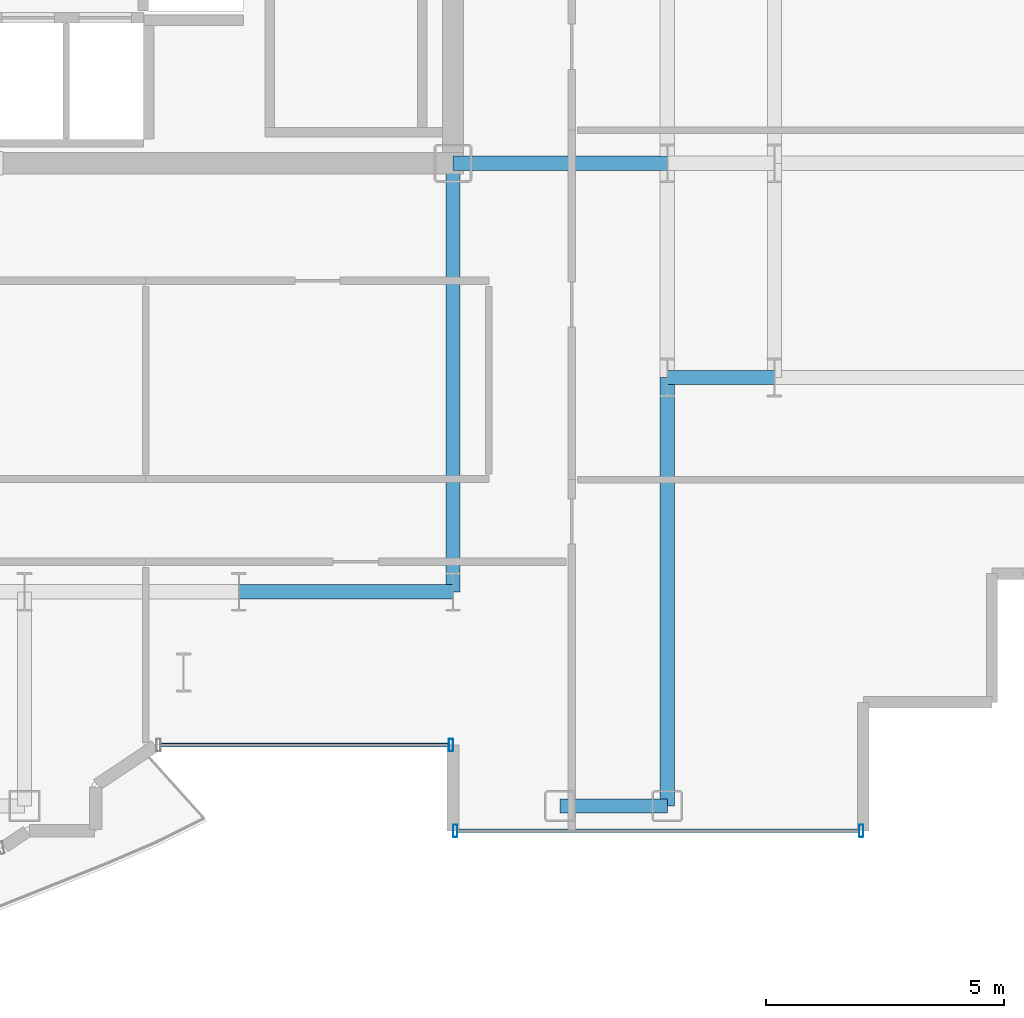
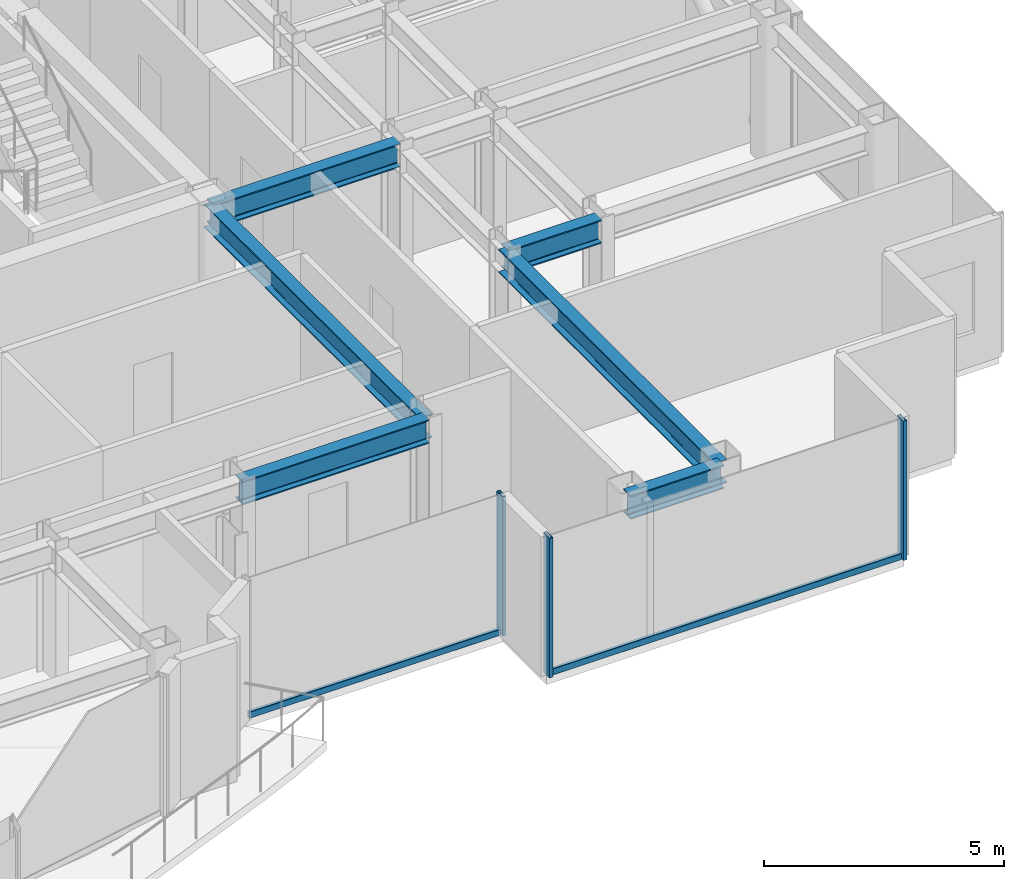
# One storey, part 6 of 22: 6 beams, 5 members, 2 elements without a shape of their own.
"""IFC4 building model written with IfcOpenShell, lengths in metres."""

import ifcopenshell
import ifcopenshell.guid

model = None  # the IFC model being written
_history = None  # IfcOwnerHistory: only IFC2X3 demands one
_inside = {}  # id of a spatial element -> (the spatial element, [elements in it])
_under = {}  # id of a project, library or spatial element -> (it, [spatial elements below it])
_declared = {}  # id of a project -> (the project, [libraries it declares])
_typed = {}  # id of a type object -> (the type object, [elements of that type])
_made_of = {}  # id of a material, layer set ... -> (it, [elements and type objects made of it])


def new_model(schema):
    """Start an empty IFC model of exactly this schema.

    Asked for "IFC4X3", IfcOpenShell would pick the latest addendum, in which some entities
    have other attributes; the version numbers below select the first issue.
    IFC2X3 requires an IfcOwnerHistory on every rooted entity: one is made here for all.
    """
    global model, _history
    if schema == "IFC4X3":
        model = ifcopenshell.file(schema_version=(4, 3, 0, 0))
    else:
        model = ifcopenshell.file(schema=schema)
    _inside.clear()
    _under.clear()
    _declared.clear()
    _typed.clear()
    _made_of.clear()
    _history = None
    if model.schema == "IFC2X3":
        org = make("IfcOrganization", Name="unknown")
        user = make(
            "IfcPersonAndOrganization",
            ThePerson=make("IfcPerson", FamilyName="unknown"),
            TheOrganization=org,
        )
        app = make(
            "IfcApplication",
            ApplicationDeveloper=org,
            Version="unknown",
            ApplicationFullName="unknown",
            ApplicationIdentifier="unknown",
        )
        _history = make(
            "IfcOwnerHistory",
            OwningUser=user,
            OwningApplication=app,
            ChangeAction="ADDED",
            CreationDate=0,
        )
    return model


def make(cls, **values):
    """One entity of the class cls with the attributes given. An attribute that is None is left unset."""
    return model.create_entity(
        cls, **{name: value for name, value in values.items() if value is not None}
    )


def rooted(cls, **values):
    """An entity with a GlobalId (a new one), such as an element, a storey or a relation."""
    return make(cls, GlobalId=ifcopenshell.guid.new(), OwnerHistory=_history, **values)


def si_unit(unit_type, name, prefix=None):
    """IfcSIUnit, for example si_unit("LENGTHUNIT", "METRE", prefix="MILLI")."""
    return make("IfcSIUnit", UnitType=unit_type, Prefix=prefix, Name=name)


def assignment(units):
    """IfcUnitAssignment: the units of a project."""
    return None if units is None else make("IfcUnitAssignment", Units=units)


def point(xyz):
    """IfcCartesianPoint."""
    return None if xyz is None else make("IfcCartesianPoint", Coordinates=xyz)


def direction(xyz):
    """IfcDirection."""
    return None if xyz is None else make("IfcDirection", DirectionRatios=xyz)


def frame(location, z_axis=None, x_axis=None):
    """IfcAxis2Placement3D, a coordinate frame: its origin and axes. An axis left out is left unset."""
    return make(
        "IfcAxis2Placement3D",
        Location=point(location),
        Axis=direction(z_axis),
        RefDirection=direction(x_axis),
    )


def frame_2d(location, x_axis=None):
    """IfcAxis2Placement2D, a coordinate frame in the plane: its origin and x axis."""
    return make(
        "IfcAxis2Placement2D", Location=point(location), RefDirection=direction(x_axis)
    )


def origin():
    """The frame at (0, 0, 0) with its axes left unset."""
    return frame((0.0, 0.0, 0.0))


def origin_2d():
    """The frame at (0, 0) in the plane with its x axis left unset."""
    return frame_2d((0.0, 0.0))


def place(relative_to, where):
    """IfcLocalPlacement: puts the frame where relative to a parent placement (None: the world)."""
    return make(
        "IfcLocalPlacement", PlacementRelTo=relative_to, RelativePlacement=where
    )


def context(
    kind, dimensions, precision=None, world=None, true_north=None, identifier=None
):
    """IfcGeometricRepresentationContext, for example the 3D "Model" context."""
    return make(
        "IfcGeometricRepresentationContext",
        ContextIdentifier=identifier,
        ContextType=kind,
        CoordinateSpaceDimension=dimensions,
        Precision=precision,
        WorldCoordinateSystem=world,
        TrueNorth=true_north,
    )


def subcontext(parent, identifier, kind, view, scale=None):
    """IfcGeometricRepresentationSubContext, for example "Body" below "Model"."""
    return make(
        "IfcGeometricRepresentationSubContext",
        ContextIdentifier=identifier,
        ContextType=kind,
        ParentContext=parent,
        TargetScale=scale,
        TargetView=view,
    )


def project(units=None, contexts=None):
    """IfcProject with its units and contexts."""
    return rooted(
        "IfcProject",
        Name="project",
        RepresentationContexts=contexts,
        UnitsInContext=assignment(units),
    )


def spatial(cls, under=None, at=None, **own):
    """A site, building, storey or space (cls), placed at a placement, below another one or the project."""
    s = rooted(cls, ObjectPlacement=at, **own)
    if under is not None:
        _under.setdefault(under.id(), (under, []))[1].append(s)
    return s


def profile(cls, at=None, kind="AREA", **sizes):
    """A parametric profile (cls). Its sizes go by their IFC names, for example OverallWidth=200.0."""
    return make(cls, ProfileType=kind, Position=at, **sizes)


def hollow_rectangle(**sizes):
    """IfcRectangleHollowProfileDef."""
    return profile("IfcRectangleHollowProfileDef", **sizes)


def i_section(**sizes):
    """IfcIShapeProfileDef."""
    return profile("IfcIShapeProfileDef", **sizes)


def extrude(swept, where, along, depth):
    """IfcExtrudedAreaSolid: the profile swept, set in the frame where, extruded along a direction by depth."""
    return make(
        "IfcExtrudedAreaSolid",
        SweptArea=swept,
        Position=where,
        ExtrudedDirection=direction(along),
        Depth=depth,
    )


def shape(context_of_items, identifier, shape_type, items):
    """IfcShapeRepresentation: the items that make up one representation, for example the "Body"."""
    return make(
        "IfcShapeRepresentation",
        ContextOfItems=context_of_items,
        RepresentationIdentifier=identifier,
        RepresentationType=shape_type,
        Items=items,
    )


def source(mapping_origin, context_of_items, identifier, shape_type, items):
    """IfcRepresentationMap: a shape defined once, which mapped items show again and again."""
    return make(
        "IfcRepresentationMap",
        MappingOrigin=mapping_origin,
        MappedRepresentation=shape(context_of_items, identifier, shape_type, items),
    )


def transform(
    local_origin,
    x_axis=None,
    y_axis=None,
    z_axis=None,
    scale=None,
    scale2=None,
    scale3=None,
    uniform=True,
):
    """IfcCartesianTransformationOperator3D, or its non-uniform kind. x_axis, y_axis, z_axis: its Axis1, 2, 3."""
    if uniform:
        return make(
            "IfcCartesianTransformationOperator3D",
            Axis1=direction(x_axis),
            Axis2=direction(y_axis),
            LocalOrigin=point(local_origin),
            Scale=scale,
            Axis3=direction(z_axis),
        )
    return make(
        "IfcCartesianTransformationOperator3DnonUniform",
        Axis1=direction(x_axis),
        Axis2=direction(y_axis),
        LocalOrigin=point(local_origin),
        Scale=scale,
        Axis3=direction(z_axis),
        Scale2=scale2,
        Scale3=scale3,
    )


def mapped(mapping_source, mapping_target):
    """IfcMappedItem: shows the shape of a source again, moved by a transform."""
    return make(
        "IfcMappedItem", MappingSource=mapping_source, MappingTarget=mapping_target
    )


def material(Name=None, Category=None):
    """IfcMaterial."""
    return make("IfcMaterial", Name=Name, Category=Category)


def layer(
    of_material, thickness, ventilated=None, Name=None, Category=None, Priority=None
):
    """IfcMaterialLayer: one layer of a wall or slab, of a material (None: an air gap)."""
    return make(
        "IfcMaterialLayer",
        Material=of_material,
        LayerThickness=thickness,
        IsVentilated=ventilated,
        Name=Name,
        Category=Category,
        Priority=Priority,
    )


def layer_set(layers, Name=None):
    """IfcMaterialLayerSet."""
    return make("IfcMaterialLayerSet", MaterialLayers=layers, LayerSetName=Name)


def material_profile(
    of_material, cross_section, Name=None, Category=None, Priority=None
):
    """IfcMaterialProfile: a cross section and its material."""
    return make(
        "IfcMaterialProfile",
        Name=Name,
        Material=of_material,
        Profile=cross_section,
        Priority=Priority,
        Category=Category,
    )


def profile_set(profiles, Name=None, composite=None):
    """IfcMaterialProfileSet."""
    return make(
        "IfcMaterialProfileSet",
        Name=Name,
        MaterialProfiles=profiles,
        CompositeProfile=composite,
    )


def made_of(thing, what):
    """Note that an element or type object is made of a material, layer set ...; save() writes the relation."""
    if what is not None:
        _made_of.setdefault(what.id(), (what, []))[1].append(thing)
    return thing


def type_object(cls, material=None, **own):
    """A type object (cls), such as IfcWallType, which elements share."""
    return made_of(rooted(cls, **own), material)


def element(
    cls,
    number,
    at=None,
    inside=None,
    cuts=None,
    type_object=None,
    material=None,
    context=None,
    identifier="Body",
    shape_type=None,
    held_by="IfcProductDefinitionShape",
    body=None,
    shapes=None,
    **own,
):
    """One element of the class cls, such as IfcWall. Its Tag is "e" and its number.

    at: its placement. inside: the storey or other place that contains it. cuts: it is an
    opening in that element (IfcRelVoidsElement). A single representation is given by context,
    identifier, shape_type and body (its items); several are given by shapes. held_by: the class
    of the entity that holds the representations. save() writes the other relations.
    """
    e = rooted(cls, Tag="e%d" % number, ObjectPlacement=at, **own)
    if body is not None:
        shapes = [shape(context, identifier, shape_type, body)]
    if shapes is not None:
        e.Representation = make(held_by, Representations=shapes)
    if inside is not None:
        _inside.setdefault(inside.id(), (inside, []))[1].append(e)
    if cuts is not None:
        rooted(
            "IfcRelVoidsElement", RelatingBuildingElement=cuts, RelatedOpeningElement=e
        )
    if type_object is not None:
        _typed.setdefault(type_object.id(), (type_object, []))[1].append(e)
    return made_of(e, material)


def aggregate(whole, parts):
    """IfcRelAggregates: a whole, such as a stair, and the parts it consists of."""
    return rooted("IfcRelAggregates", RelatingObject=whole, RelatedObjects=parts)


def save(model, path):
    """Write the relations noted so far, then the file.

    IfcRelAggregates (storeys below a building ...), IfcRelContainedInSpatialStructure (elements
    in a storey), IfcRelDefinesByType, IfcRelAssociatesMaterial and IfcRelDeclares: one each for
    every whole, place, type object, material and project.
    """
    for whole, parts in _under.values():
        aggregate(whole, parts)
    for where, things in _inside.values():
        rooted(
            "IfcRelContainedInSpatialStructure",
            RelatedElements=things,
            RelatingStructure=where,
        )
    for kind, things in _typed.values():
        rooted("IfcRelDefinesByType", RelatedObjects=things, RelatingType=kind)
    for what, things in _made_of.values():
        rooted("IfcRelAssociatesMaterial", RelatedObjects=things, RelatingMaterial=what)
    for by, libraries in _declared.values():
        rooted("IfcRelDeclares", RelatingContext=by, RelatedDefinitions=libraries)
    model.write(path)


model = new_model("IFC4")

# Units and contexts
model_context = context("Model", 3, precision=1e-05, world=origin(), true_north=direction((0.0, 1.0)))
body_context = subcontext(model_context, "Body", "Model", "MODEL_VIEW")
ifc_project = project(units=[si_unit("LENGTHUNIT", "METRE"), si_unit("AREAUNIT", "SQUARE_METRE"), si_unit("VOLUMEUNIT", "CUBIC_METRE"), si_unit("PLANEANGLEUNIT", "RADIAN"), si_unit("MASSUNIT", "GRAM", prefix="KILO")], contexts=[model_context])

# Site, building, storey
site_placement = place(None, origin())
site = spatial("IfcSite", under=ifc_project, at=site_placement, CompositionType="ELEMENT")
building_placement = place(site_placement, origin())
building = spatial("IfcBuilding", under=site, at=building_placement, Name="Nefas-Gora Pilgrimage Tower", CompositionType="ELEMENT")
storey_placement = place(building_placement, frame((0.0, 0.0, 240.800048828125)))
storey = spatial("IfcBuildingStorey", under=building, at=storey_placement, Name="L60", CompositionType="ELEMENT", Elevation=240.800048828125)

# Beams
ifc_material_1 = material(Name="Steel S355", Category="steel")
ifc_material_profile_1 = material_profile(ifc_material_1, i_section(OverallWidth=0.300048828125, OverallDepth=0.60009765625, WebThickness=0.015380859375, FlangeThickness=0.030029296875, FilletRadius=0.027099609375, at=origin_2d()), Name="HEB 600")
ifc_profile_set_1 = profile_set([ifc_material_profile_1], Name="Steel S355")
beam_type_1 = type_object("IfcBeamType", Name="BM-GIR-HEB600", PredefinedType="BEAM", material=ifc_profile_set_1)
shared_shape_1 = source(origin(), body_context, "Body", "SweptSolid", [
    extrude(i_section(OverallWidth=0.300048828125, OverallDepth=0.60009765625, WebThickness=0.015380859375, FlangeThickness=0.030029296875, FilletRadius=0.027099609375, at=origin_2d()), origin(), (0.0, 0.0, 1.0), 9.0),
])
for number, where, z_axis, x_axis, name in (
    (1, (11.25, -18.0, 3.25), (0.0, 1.0, 0.0), (-1.0, 0.0, 0.0), "L60 G-04 beam"),
    (2, (15.75, -22.5, 3.25), (0.0, 1.0, 0.0), (-1.0, 0.0, 0.0), "L60 G-04 beam"),
):
    element("IfcBeam", number, at=place(storey_placement, frame(where, z_axis=z_axis, x_axis=x_axis)), inside=storey, type_object=beam_type_1, Name=name, PredefinedType="BEAM", context=body_context, shape_type="MappedRepresentation", body=[
        mapped(shared_shape_1, transform((0.0, 0.0, 0.0), x_axis=(1.0, 0.0, 0.0), y_axis=(0.0, 1.0, 0.0), z_axis=(0.0, 0.0, 1.0), scale=1.0)),
    ])
shared_shape_2 = source(origin(), body_context, "Body", "SweptSolid", [
    extrude(i_section(OverallWidth=0.300048828125, OverallDepth=0.60009765625, WebThickness=0.015380859375, FlangeThickness=0.030029296875, FilletRadius=0.027099609375, at=origin_2d()), origin(), (0.0, 0.0, 1.0), 4.5),
])
for number, where, z_axis, x_axis, name in (
    (3, (6.75, -18.0, 3.25), (1.0, 0.0, 0.0), (0.0, 1.0, 0.0), "L60 G-04 beam"),
    (4, (11.25, -9.0, 3.25), (1.0, 0.0, 0.0), (0.0, 1.0, 0.0), "L60 G-04 beam"),
):
    element("IfcBeam", number, at=place(storey_placement, frame(where, z_axis=z_axis, x_axis=x_axis)), inside=storey, type_object=beam_type_1, Name=name, PredefinedType="BEAM", context=body_context, shape_type="MappedRepresentation", body=[
        mapped(shared_shape_2, transform((0.0, 0.0, 0.0), x_axis=(1.0, 0.0, 0.0), y_axis=(0.0, 1.0, 0.0), z_axis=(0.0, 0.0, 1.0), scale=1.0)),
    ])
ifc_material_profile_2 = material_profile(ifc_material_1, i_section(OverallWidth=0.300048828125, OverallDepth=0.60009765625, WebThickness=0.015380859375, FlangeThickness=0.030029296875, FilletRadius=0.027099609375, at=origin_2d()), Name="HEB 600")
ifc_profile_set_2 = profile_set([ifc_material_profile_2], Name="Steel S355")
beam_type_2 = type_object("IfcBeamType", Name="BM-SPN-HEB450", PredefinedType="SPANDREL", material=ifc_profile_set_2)
shared_shape_3 = source(origin(), body_context, "Body", "SweptSolid", [
    extrude(i_section(OverallWidth=0.300048828125, OverallDepth=0.60009765625, WebThickness=0.015380859375, FlangeThickness=0.030029296875, FilletRadius=0.027099609375, at=origin_2d()), origin(), (0.0, 0.0, 1.0), 2.25),
])
beam_1_placement = place(storey_placement, frame((13.5, -22.5, 3.25), z_axis=(1.0, 0.0, 0.0), x_axis=(0.0, 1.0, 0.0)))
element("IfcBeam", 5, at=beam_1_placement, inside=storey, type_object=beam_type_2, Name="L60 SP-03 beam", PredefinedType="SPANDREL", context=body_context, shape_type="MappedRepresentation", body=[
    mapped(shared_shape_3, transform((0.0, 0.0, 0.0), x_axis=(1.0, 0.0, 0.0), y_axis=(0.0, 1.0, 0.0), z_axis=(0.0, 0.0, 1.0), scale=1.0)),
])
shared_shape_4 = source(origin(), body_context, "Body", "SweptSolid", [
    extrude(i_section(OverallWidth=0.300048828125, OverallDepth=0.60009765625, WebThickness=0.015380859375, FlangeThickness=0.030029296875, FilletRadius=0.027099609375, at=origin_2d()), origin(), (0.0, 0.0, 1.0), 2.25),
])
beam_2_placement = place(storey_placement, frame((15.75, -13.5, 3.25), z_axis=(1.0, 0.0, 0.0), x_axis=(0.0, 1.0, 0.0)))
element("IfcBeam", 6, at=beam_2_placement, inside=storey, type_object=beam_type_1, Name="L60 G-04 beam", PredefinedType="BEAM", context=body_context, shape_type="MappedRepresentation", body=[
    mapped(shared_shape_4, transform((0.0, 0.0, 0.0), x_axis=(1.0, 0.0, 0.0), y_axis=(0.0, 1.0, 0.0), z_axis=(0.0, 0.0, 1.0), scale=1.0)),
])

# Curtain wall, members
ifc_material_2 = material(Name="Dark ceramic-fritted solar-control aluminium-glass curtain wall", Category="aluminium")
ifc_layer_1 = layer(ifc_material_2, 0.219970703125)
ifc_layer_set_1 = layer_set([ifc_layer_1], Name="Dark ceramic-fritted solar-control aluminium-glass curtain wall")
curtain_wall_type_1 = type_object("IfcCurtainWallType", Name="CW-SYS-5", PredefinedType="NOTDEFINED", material=ifc_layer_set_1)
curtain_wall_1_placement = place(storey_placement, origin())
curtain_wall_1 = element("IfcCurtainWall", 7, at=curtain_wall_1_placement, inside=storey, type_object=curtain_wall_type_1, Name="L60 Unitised Curtain Wall CW5", PredefinedType="NOTDEFINED")
ifc_material_3 = material(Name="Anodised architectural aluminium", Category="aluminium")
ifc_material_profile_3 = material_profile(ifc_material_3, hollow_rectangle(XDim=0.090087890625, YDim=0.260009765625, WallThickness=0.006103515625, InnerFilletRadius=0.006103515625, OuterFilletRadius=0.011962890625, at=origin_2d()), Name="ALU MULLION 90x260")
ifc_profile_set_3 = profile_set([ifc_material_profile_3], Name="Anodised architectural aluminium")
member_type_1 = type_object("IfcMemberType", Name="CWM-MUL-5", PredefinedType="MULLION", material=ifc_profile_set_3)
shared_shape_5 = source(origin(), body_context, "Body", "SweptSolid", [
    extrude(hollow_rectangle(XDim=0.090087890625, YDim=0.260009765625, WallThickness=0.006103515625, InnerFilletRadius=0.006103515625, OuterFilletRadius=0.011962890625, at=origin_2d()), origin(), (0.0, 0.0, 1.0), 3.550048828125),
])
member_1_placement = place(storey_placement, frame((11.205078125, -21.219970703125, 0.0), z_axis=(0.0, 0.0, 1.0), x_axis=(1.0, 0.0, 0.0)))
member_1 = element("IfcMember", 8, at=member_1_placement, type_object=member_type_1, Name="CW5 Mullion 2", PredefinedType="MULLION", context=body_context, shape_type="MappedRepresentation", body=[
    mapped(shared_shape_5, transform((0.0, 0.0, 0.0), x_axis=(1.0, 0.0, 0.0), y_axis=(0.0, 1.0, 0.0), z_axis=(0.0, 0.0, 1.0), scale=1.0)),
])
ifc_material_profile_4 = material_profile(ifc_material_3, hollow_rectangle(XDim=0.080078125, YDim=0.159912109375, WallThickness=0.00439453125, InnerFilletRadius=0.00439453125, OuterFilletRadius=0.009033203125, at=origin_2d()), Name="ALU TRANSOM 80x160")
ifc_profile_set_4 = profile_set([ifc_material_profile_4], Name="Anodised architectural aluminium")
member_type_2 = type_object("IfcMemberType", Name="CWM-TRN-5", PredefinedType="USERDEFINED", material=ifc_profile_set_4)
shared_shape_6 = source(origin(), body_context, "Body", "SweptSolid", [
    extrude(hollow_rectangle(XDim=0.080078125, YDim=0.159912109375, WallThickness=0.00439453125, InnerFilletRadius=0.00439453125, OuterFilletRadius=0.009033203125, at=origin_2d()), origin(), (0.0, 0.0, 1.0), 6.052001953125),
])
member_2_placement = place(storey_placement, frame((5.10791015625, -21.219970703125, 0.050048828125), z_axis=(1.0, 0.0, 0.0), x_axis=(0.0, 1.0, 0.0)))
member_2 = element("IfcMember", 9, at=member_2_placement, type_object=member_type_2, Name="CW5 Spandrel Transom", ObjectType="TRANSOM", PredefinedType="USERDEFINED", context=body_context, shape_type="MappedRepresentation", body=[
    mapped(shared_shape_6, transform((0.0, 0.0, 0.0), x_axis=(1.0, 0.0, 0.0), y_axis=(0.0, 1.0, 0.0), z_axis=(0.0, 0.0, 1.0), scale=1.0)),
])
aggregate(curtain_wall_1, [member_1, member_2])

ifc_layer_2 = layer(ifc_material_2, 0.219970703125)
ifc_layer_set_2 = layer_set([ifc_layer_2], Name="Dark ceramic-fritted solar-control aluminium-glass curtain wall")
curtain_wall_type_2 = type_object("IfcCurtainWallType", Name="CW-SYS-3", PredefinedType="NOTDEFINED", material=ifc_layer_set_2)
curtain_wall_2_placement = place(storey_placement, origin())
curtain_wall_2 = element("IfcCurtainWall", 10, at=curtain_wall_2_placement, inside=storey, type_object=curtain_wall_type_2, Name="L60 Unitised Curtain Wall CW3", PredefinedType="NOTDEFINED")
ifc_material_profile_5 = material_profile(ifc_material_3, hollow_rectangle(XDim=0.090087890625, YDim=0.260009765625, WallThickness=0.006103515625, InnerFilletRadius=0.006103515625, OuterFilletRadius=0.011962890625, at=origin_2d()), Name="ALU MULLION 90x260")
ifc_profile_set_5 = profile_set([ifc_material_profile_5], Name="Anodised architectural aluminium")
member_type_3 = type_object("IfcMemberType", Name="CWM-MUL-3", PredefinedType="MULLION", material=ifc_profile_set_5)
shared_shape_7 = source(origin(), body_context, "Body", "SweptSolid", [
    extrude(hollow_rectangle(XDim=0.090087890625, YDim=0.260009765625, WallThickness=0.006103515625, InnerFilletRadius=0.006103515625, OuterFilletRadius=0.011962890625, at=origin_2d()), origin(), (0.0, 0.0, 1.0), 3.550048828125),
])
member_3_placement = place(storey_placement, frame((11.294921875, -23.02001953125, 0.0), z_axis=(0.0, 0.0, 1.0), x_axis=(1.0, 0.0, 0.0)))
member_3 = element("IfcMember", 11, at=member_3_placement, type_object=member_type_3, Name="CW3 Mullion 1", PredefinedType="MULLION", context=body_context, shape_type="MappedRepresentation", body=[
    mapped(shared_shape_7, transform((0.0, 0.0, 0.0), x_axis=(1.0, 0.0, 0.0), y_axis=(0.0, 1.0, 0.0), z_axis=(0.0, 0.0, 1.0), scale=1.0)),
])
member_4_placement = place(storey_placement, frame((19.824951171875, -23.02001953125, 0.0), z_axis=(0.0, 0.0, 1.0), x_axis=(1.0, 0.0, 0.0)))
member_4 = element("IfcMember", 12, at=member_4_placement, type_object=member_type_3, Name="CW3 Mullion 2", PredefinedType="MULLION", context=body_context, shape_type="MappedRepresentation", body=[
    mapped(shared_shape_7, transform((0.0, 0.0, 0.0), x_axis=(1.0, 0.0, 0.0), y_axis=(0.0, 1.0, 0.0), z_axis=(0.0, 0.0, 1.0), scale=1.0)),
])
ifc_material_profile_6 = material_profile(ifc_material_3, hollow_rectangle(XDim=0.080078125, YDim=0.159912109375, WallThickness=0.00439453125, InnerFilletRadius=0.00439453125, OuterFilletRadius=0.009033203125, at=origin_2d()), Name="ALU TRANSOM 80x160")
ifc_profile_set_6 = profile_set([ifc_material_profile_6], Name="Anodised architectural aluminium")
member_type_4 = type_object("IfcMemberType", Name="CWM-TRN-3", PredefinedType="USERDEFINED", material=ifc_profile_set_6)
shared_shape_8 = source(origin(), body_context, "Body", "SweptSolid", [
    extrude(hollow_rectangle(XDim=0.080078125, YDim=0.159912109375, WallThickness=0.00439453125, InnerFilletRadius=0.00439453125, OuterFilletRadius=0.009033203125, at=origin_2d()), origin(), (0.0, 0.0, 1.0), 8.43994140625),
])
member_5_placement = place(storey_placement, frame((11.340087890625, -23.02001953125, 0.050048828125), z_axis=(1.0, 0.0, 0.0), x_axis=(0.0, 1.0, 0.0)))
member_5 = element("IfcMember", 13, at=member_5_placement, type_object=member_type_4, Name="CW3 Spandrel Transom", ObjectType="TRANSOM", PredefinedType="USERDEFINED", context=body_context, shape_type="MappedRepresentation", body=[
    mapped(shared_shape_8, transform((0.0, 0.0, 0.0), x_axis=(1.0, 0.0, 0.0), y_axis=(0.0, 1.0, 0.0), z_axis=(0.0, 0.0, 1.0), scale=1.0)),
])
aggregate(curtain_wall_2, [member_3, member_4, member_5])

save(model, "model.ifc")
